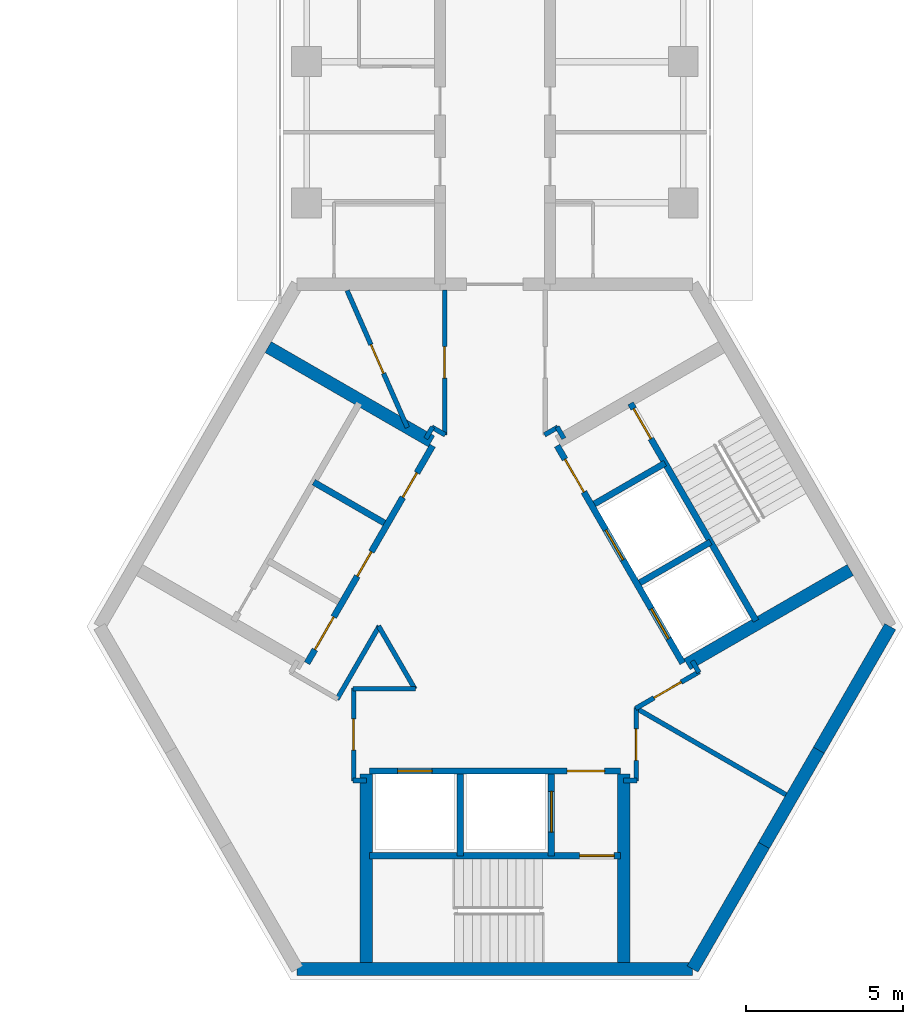
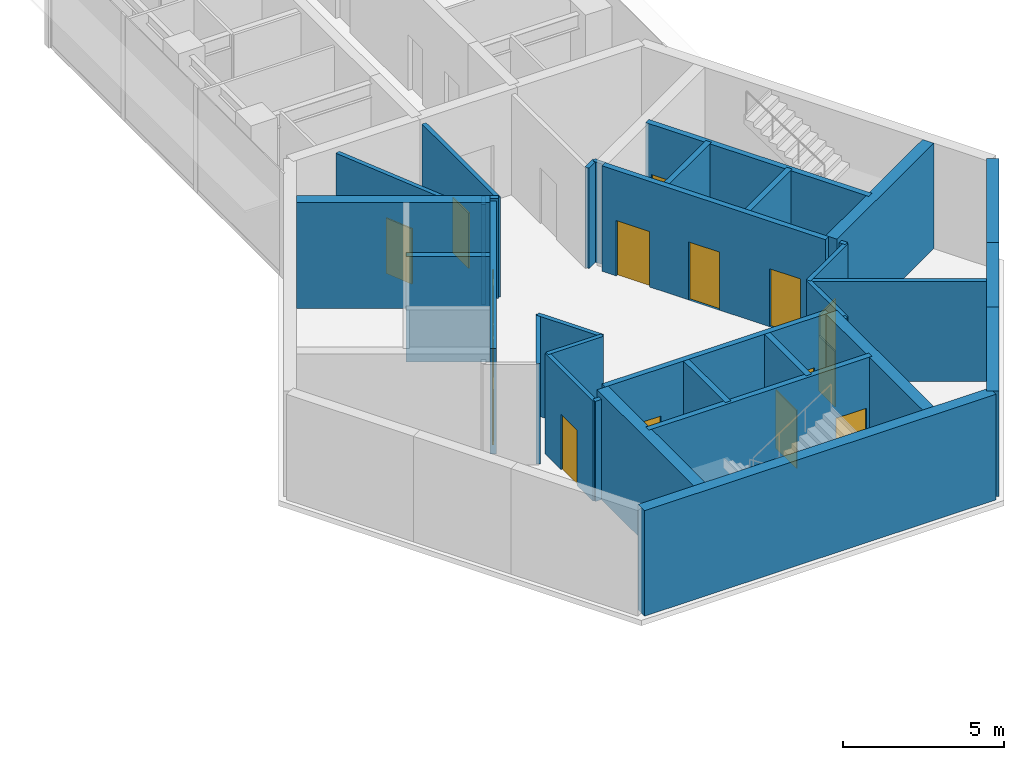
# One storey, part 8 of 11: 34 walls, 16 doors, 16 openings.
"""IFC4 building model written with IfcOpenShell, lengths in metres."""

from ifc_helpers import new_model, si_unit, direction, frame, frame_2d, origin, place, context, subcontext, project, spatial, rectangle, extrude, material, layer, layer_set, type_object, element, fill, save


model = new_model("IFC4")

# Units and contexts
model_context = context("Model", 3, precision=1e-05, world=origin(), true_north=direction((0.0, 1.0)))
body_context = subcontext(model_context, "Body", "Model", "MODEL_VIEW")
ifc_project = project(units=[si_unit("LENGTHUNIT", "METRE"), si_unit("AREAUNIT", "SQUARE_METRE"), si_unit("VOLUMEUNIT", "CUBIC_METRE"), si_unit("PLANEANGLEUNIT", "RADIAN"), si_unit("MASSUNIT", "GRAM", prefix="KILO")], contexts=[model_context])

# Site, building, storey
site_placement = place(None, origin())
site = spatial("IfcSite", under=ifc_project, at=site_placement, CompositionType="ELEMENT")
building_placement = place(site_placement, origin())
building = spatial("IfcBuilding", under=site, at=building_placement, Name="Upepo Twin Towers", CompositionType="ELEMENT")
storey_placement = place(building_placement, frame((0.0, 0.0, 271.5)))
storey = spatial("IfcBuildingStorey", under=building, at=storey_placement, Name="L66", CompositionType="ELEMENT", Elevation=271.5)

# Walls
ifc_material_1 = material(Name="Concrete C60/75", Category="concrete")
ifc_layer_1 = layer(ifc_material_1, 0.39990234375)
ifc_layer_set_1 = layer_set([ifc_layer_1], Name="Concrete C60/75")
wall_type_1 = type_object("IfcWallType", Name="Core wall 400 RC", PredefinedType="SHEAR", material=ifc_layer_set_1)
wall_1_placement = place(storey_placement, frame((52.2021484375, -28.908447265625, 0.0), z_axis=(0.0, 0.0, 1.0), x_axis=(1.0, 0.0, 0.0)))
element("IfcWall", 1, at=wall_1_placement, inside=storey, type_object=wall_type_1, Name="T2 core wall 180", PredefinedType="SHEAR", context=body_context, shape_type="SweptSolid", body=[
    extrude(rectangle(XDim=12.595703125, YDim=0.39990234375, at=frame_2d((6.2978515625, 0.0))), origin(), (0.0, 0.0, 1.0), 4.0),
])
wall_2_placement = place(storey_placement, frame((64.7978515625, -28.908447265625, 0.0), z_axis=(0.0, 0.0, 1.0), x_axis=(0.499984222037, 0.866034513004, 0.0)))
element("IfcWall", 2, at=wall_2_placement, inside=storey, type_object=wall_type_1, Name="T2 core wall 240 R", PredefinedType="SHEAR", context=body_context, shape_type="SweptSolid", body=[
    extrude(rectangle(XDim=4.548095703125, YDim=0.39990234375, at=frame_2d((2.27392578125, 0.0))), origin(), (0.0, 0.0, 1.0), 4.0),
])
wall_3_placement = place(storey_placement, frame((67.07177734375, -24.9697265625, 0.0), z_axis=(0.0, 0.0, 1.0), x_axis=(0.500010275428, 0.866019471182, 0.0)))
element("IfcWall", 3, at=wall_3_placement, inside=storey, type_object=wall_type_1, Name="T2 core wall 240", PredefinedType="SHEAR", context=body_context, shape_type="SweptSolid", body=[
    extrude(rectangle(XDim=3.5, YDim=0.39990234375, at=frame_2d((1.75, 0.0))), origin(), (0.0, 0.0, 1.0), 4.0),
])
wall_4_placement = place(storey_placement, frame((68.82177734375, -21.938720703125, 0.0), z_axis=(0.0, 0.0, 1.0), x_axis=(0.500024481964, 0.866011268655, 0.0)))
element("IfcWall", 4, at=wall_4_placement, inside=storey, type_object=wall_type_1, Name="T2 core wall 240 L", PredefinedType="SHEAR", context=body_context, shape_type="SweptSolid", body=[
    extrude(rectangle(XDim=4.548095703125, YDim=0.39990234375, at=frame_2d((2.27392578125, 0.0))), origin(), (0.0, 0.0, 1.0), 4.0),
])

# Wall, openings, doors
ifc_material_2 = material(Name="Concrete C40/50", Category="concrete")
ifc_layer_2 = layer(ifc_material_2, 0.199951171875)
ifc_layer_set_2 = layer_set([ifc_layer_2], Name="Concrete C40/50")
wall_type_2 = type_object("IfcWallType", Name="Shaft wall 200 RC", PredefinedType="SHEAR", material=ifc_layer_set_2)
wall_5_placement = place(storey_placement, frame((56.516357421875, -12.23583984375, 0.0), z_axis=(0.0, 0.0, 1.0), x_axis=(-0.49999894854, -0.866026010844, 0.0)))
wall_5 = element("IfcWall", 5, at=wall_5_placement, inside=storey, type_object=wall_type_2, Name="T2 core W60 front wall", PredefinedType="SHEAR", context=body_context, shape_type="SweptSolid", body=[
    extrude(rectangle(XDim=8.0, YDim=0.199951171875, at=frame_2d((4.0, 0.0))), origin(), (0.0, 0.0, 1.0), 4.0),
])
opening_1_placement = place(wall_5_placement, frame((6.300048828125, 0.0, 0.0)))
opening_1 = element("IfcOpeningElement", 6, at=opening_1_placement, cuts=wall_5, Name="Opening D4", PredefinedType="OPENING", context=body_context, shape_type="SweptSolid", body=[
    extrude(rectangle(XDim=1.199951171875, YDim=2.10009765625, at=frame_2d((0.60009765625, 1.050048828125))), frame((0.0, 0.10986328125, 0.0), z_axis=(0.0, -1.0, 0.0), x_axis=(1.0, 0.0, 0.0)), (0.0, 0.0, 1.0), 0.219970703125),
])
opening_2_placement = place(wall_5_placement, frame((1.0, 0.0, 0.0)))
opening_2 = element("IfcOpeningElement", 7, at=opening_2_placement, cuts=wall_5, Name="Opening D9", PredefinedType="OPENING", context=body_context, shape_type="SweptSolid", body=[
    extrude(rectangle(XDim=0.89990234375, YDim=2.10009765625, at=frame_2d((0.449951171875, 1.050048828125))), frame((0.0, 0.10986328125, 0.0), z_axis=(0.0, -1.0, 0.0), x_axis=(1.0, 0.0, 0.0)), (0.0, 0.0, 1.0), 0.219970703125),
])
opening_3_placement = place(wall_5_placement, frame((3.89990234375, 0.0, 0.0)))
opening_3 = element("IfcOpeningElement", 8, at=opening_3_placement, cuts=wall_5, Name="Opening D9", PredefinedType="OPENING", context=body_context, shape_type="SweptSolid", body=[
    extrude(rectangle(XDim=0.89990234375, YDim=2.10009765625, at=frame_2d((0.449951171875, 1.050048828125))), frame((0.0, 0.10986328125, 0.0), z_axis=(0.0, -1.0, 0.0), x_axis=(1.0, 0.0, 0.0)), (0.0, 0.0, 1.0), 0.219970703125),
])
ifc_material_3 = material(Name="Timber doorset", Category="wood")
door_type_1 = type_object("IfcDoorType", Name="Lobby door 1200 FD60", OperationType="SINGLE_SWING_LEFT", PredefinedType="DOOR", material=ifc_material_3)
door_1_placement = place(opening_1_placement, origin())
door_1 = element("IfcDoor", 9, at=door_1_placement, inside=storey, type_object=door_type_1, Name="T2 L66 W60 lobby door", OperationType="SINGLE_SWING_RIGHT", OverallHeight=2.10009765625, OverallWidth=1.199951171875, PredefinedType="DOOR", context=body_context, shape_type="SweptSolid", body=[
    extrude(rectangle(XDim=1.199951171875, YDim=2.10009765625, at=frame_2d((0.60009765625, 1.050048828125))), frame((0.0, 0.02490234375, 0.0), z_axis=(0.0, -1.0, 0.0), x_axis=(1.0, 0.0, 0.0)), (0.0, 0.0, 1.0), 0.050048828125),
])
fill(opening_1, door_1)
ifc_material_4 = material(Name="Timber doorset", Category="wood")
door_type_2 = type_object("IfcDoorType", Name="Riser door 900 FD60", OperationType="SINGLE_SWING_LEFT", PredefinedType="DOOR", material=ifc_material_4)
door_2_placement = place(opening_2_placement, origin())
door_2 = element("IfcDoor", 10, at=door_2_placement, inside=storey, type_object=door_type_2, Name="T2 L66 av equipment store door", OperationType="SINGLE_SWING_LEFT", OverallHeight=2.10009765625, OverallWidth=0.89990234375, PredefinedType="DOOR", context=body_context, shape_type="SweptSolid", body=[
    extrude(rectangle(XDim=0.89990234375, YDim=2.10009765625, at=frame_2d((0.449951171875, 1.050048828125))), frame((0.0, 0.02490234375, 0.0), z_axis=(0.0, -1.0, 0.0), x_axis=(1.0, 0.0, 0.0)), (0.0, 0.0, 1.0), 0.050048828125),
])
fill(opening_2, door_2)
door_3_placement = place(opening_3_placement, origin())
door_3 = element("IfcDoor", 11, at=door_3_placement, inside=storey, type_object=door_type_2, Name="T2 L66 cleaner's store door", OperationType="SINGLE_SWING_RIGHT", OverallHeight=2.10009765625, OverallWidth=0.89990234375, PredefinedType="DOOR", context=body_context, shape_type="SweptSolid", body=[
    extrude(rectangle(XDim=0.89990234375, YDim=2.10009765625, at=frame_2d((0.449951171875, 1.050048828125))), frame((0.0, 0.02490234375, 0.0), z_axis=(0.0, -1.0, 0.0), x_axis=(1.0, 0.0, 0.0)), (0.0, 0.0, 1.0), 0.050048828125),
])
fill(opening_3, door_3)

# Wall
wall_6_placement = place(storey_placement, frame((54.979736328125, -14.697265625, 0.0), z_axis=(0.0, 0.0, 1.0), x_axis=(-0.866062058628, 0.499936506574, 0.0)))
element("IfcWall", 12, at=wall_6_placement, inside=storey, type_object=wall_type_2, Name="T2 core W60 shaft divider", PredefinedType="SHEAR", context=body_context, shape_type="SweptSolid", body=[
    extrude(rectangle(XDim=2.599853515625, YDim=0.199951171875, at=frame_2d((1.2998046875, 0.0))), origin(), (0.0, 0.0, 1.0), 4.0),
])

# Wall, openings, doors
wall_7_placement = place(storey_placement, frame((54.5, -22.60009765625, 0.0), z_axis=(0.0, 0.0, 1.0), x_axis=(1.0, 0.0, 0.0)))
wall_7 = element("IfcWall", 13, at=wall_7_placement, inside=storey, type_object=wall_type_2, Name="T2 core W180 front wall", PredefinedType="SHEAR", context=body_context, shape_type="SweptSolid", body=[
    extrude(rectangle(XDim=8.0, YDim=0.199951171875, at=frame_2d((4.0, 0.0))), origin(), (0.0, 0.0, 1.0), 4.0),
])
opening_4_placement = place(wall_7_placement, frame((6.300048828125, 0.0, 0.0)))
opening_4 = element("IfcOpeningElement", 14, at=opening_4_placement, cuts=wall_7, Name="Opening D4", PredefinedType="OPENING", context=body_context, shape_type="SweptSolid", body=[
    extrude(rectangle(XDim=1.199951171875, YDim=2.10009765625, at=frame_2d((0.60009765625, 1.050048828125))), frame((0.0, 0.10986328125, 0.0), z_axis=(0.0, -1.0, 0.0), x_axis=(1.0, 0.0, 0.0)), (0.0, 0.0, 1.0), 0.219970703125),
])
opening_5_placement = place(wall_7_placement, frame((0.89990234375, 0.0, 0.0)))
opening_5 = element("IfcOpeningElement", 15, at=opening_5_placement, cuts=wall_7, Name="Opening LD1", PredefinedType="OPENING", context=body_context, shape_type="SweptSolid", body=[
    extrude(rectangle(XDim=1.10009765625, YDim=2.199951171875, at=frame_2d((0.550048828125, 1.10009765625))), frame((0.0, 0.10986328125, 0.0), z_axis=(0.0, -1.0, 0.0), x_axis=(1.0, 0.0, 0.0)), (0.0, 0.0, 1.0), 0.219970703125),
])
ifc_material_5 = material(Name="Steel doorset", Category="steel")
door_type_3 = type_object("IfcDoorType", Name="Lift landing door 1100", OperationType="DOUBLE_DOOR_SLIDING", PredefinedType="DOOR", material=ifc_material_5)
door_4_placement = place(opening_5_placement, origin())
door_4 = element("IfcDoor", 16, at=door_4_placement, inside=storey, type_object=door_type_3, Name="T2 L66 lift SV1 landing door", OperationType="DOUBLE_DOOR_SLIDING", OverallHeight=2.199951171875, OverallWidth=1.10009765625, PredefinedType="DOOR", context=body_context, shape_type="SweptSolid", body=[
    extrude(rectangle(XDim=1.10009765625, YDim=2.199951171875, at=frame_2d((0.550048828125, 1.10009765625))), frame((0.0, 0.02490234375, 0.0), z_axis=(0.0, -1.0, 0.0), x_axis=(1.0, 0.0, 0.0)), (0.0, 0.0, 1.0), 0.050048828125),
])
fill(opening_5, door_4)
door_5_placement = place(opening_4_placement, origin())
door_5 = element("IfcDoor", 17, at=door_5_placement, inside=storey, type_object=door_type_1, Name="T2 L66 W180 lobby door", OperationType="SINGLE_SWING_RIGHT", OverallHeight=2.10009765625, OverallWidth=1.199951171875, PredefinedType="DOOR", context=body_context, shape_type="SweptSolid", body=[
    extrude(rectangle(XDim=1.199951171875, YDim=2.10009765625, at=frame_2d((0.60009765625, 1.050048828125))), frame((0.0, 0.02490234375, 0.0), z_axis=(0.0, -1.0, 0.0), x_axis=(1.0, 0.0, 0.0)), (0.0, 0.0, 1.0), 0.050048828125),
])
fill(opening_4, door_5)

# Wall
wall_8_placement = place(storey_placement, frame((57.39990234375, -22.699951171875, 0.0), z_axis=(0.0, 0.0, 1.0), x_axis=(0.0, -1.0, 0.0)))
element("IfcWall", 18, at=wall_8_placement, inside=storey, type_object=wall_type_2, Name="T2 core W180 shaft divider", PredefinedType="SHEAR", context=body_context, shape_type="SweptSolid", body=[
    extrude(rectangle(XDim=2.60009765625, YDim=0.199951171875, at=frame_2d((1.300048828125, 0.0))), origin(), (0.0, 0.0, 1.0), 4.0),
])

# Wall, opening, door
wall_9_placement = place(storey_placement, frame((60.300048828125, -22.699951171875, 0.0), z_axis=(0.0, 0.0, 1.0), x_axis=(0.0, -1.0, 0.0)))
wall_9 = element("IfcWall", 19, at=wall_9_placement, inside=storey, type_object=wall_type_2, Name="T2 core W180 lobby wall", PredefinedType="SHEAR", context=body_context, shape_type="SweptSolid", body=[
    extrude(rectangle(XDim=2.60009765625, YDim=0.199951171875, at=frame_2d((1.300048828125, 0.0))), origin(), (0.0, 0.0, 1.0), 4.0),
])
opening_6_placement = place(wall_9_placement, frame((0.550048828125, 0.0, 0.0)))
opening_6 = element("IfcOpeningElement", 20, at=opening_6_placement, cuts=wall_9, Name="Opening LD2", PredefinedType="OPENING", context=body_context, shape_type="SweptSolid", body=[
    extrude(rectangle(XDim=1.300048828125, YDim=2.199951171875, at=frame_2d((0.64990234375, 1.10009765625))), frame((0.0, 0.10986328125, 0.0), z_axis=(0.0, -1.0, 0.0), x_axis=(1.0, 0.0, 0.0)), (0.0, 0.0, 1.0), 0.219970703125),
])
ifc_material_6 = material(Name="Steel doorset", Category="steel")
door_type_4 = type_object("IfcDoorType", Name="Firefighting lift landing door 1300", OperationType="DOUBLE_DOOR_SLIDING", PredefinedType="DOOR", material=ifc_material_6)
door_6_placement = place(opening_6_placement, origin())
door_6 = element("IfcDoor", 21, at=door_6_placement, inside=storey, type_object=door_type_4, Name="T2 L66 firefighting lift landing door", OperationType="DOUBLE_DOOR_SLIDING", OverallHeight=2.199951171875, OverallWidth=1.300048828125, PredefinedType="DOOR", context=body_context, shape_type="SweptSolid", body=[
    extrude(rectangle(XDim=1.300048828125, YDim=2.199951171875, at=frame_2d((0.64990234375, 1.10009765625))), frame((0.0, 0.02490234375, 0.0), z_axis=(0.0, -1.0, 0.0), x_axis=(1.0, 0.0, 0.0)), (0.0, 0.0, 1.0), 0.050048828125),
])
fill(opening_6, door_6)

wall_10_placement = place(storey_placement, frame((54.5, -25.300048828125, 0.0), z_axis=(0.0, 0.0, 1.0), x_axis=(1.0, 0.0, 0.0)))
wall_10 = element("IfcWall", 22, at=wall_10_placement, inside=storey, type_object=wall_type_2, Name="T2 core W180 stair wall", PredefinedType="SHEAR", context=body_context, shape_type="SweptSolid", body=[
    extrude(rectangle(XDim=8.0, YDim=0.199951171875, at=frame_2d((4.0, 0.0))), origin(), (0.0, 0.0, 1.0), 4.0),
])
opening_7_placement = place(wall_10_placement, frame((6.699951171875, 0.0, 0.0)))
opening_7 = element("IfcOpeningElement", 23, at=opening_7_placement, cuts=wall_10, Name="Opening D3", PredefinedType="OPENING", context=body_context, shape_type="SweptSolid", body=[
    extrude(rectangle(XDim=1.10009765625, YDim=2.10009765625, at=frame_2d((0.550048828125, 1.050048828125))), frame((0.0, 0.10986328125, 0.0), z_axis=(0.0, -1.0, 0.0), x_axis=(1.0, 0.0, 0.0)), (0.0, 0.0, 1.0), 0.219970703125),
])
ifc_material_7 = material(Name="Timber doorset", Category="wood")
door_type_5 = type_object("IfcDoorType", Name="Stair door 1100 FD60", OperationType="SINGLE_SWING_LEFT", PredefinedType="DOOR", material=ifc_material_7)
door_7_placement = place(opening_7_placement, origin())
door_7 = element("IfcDoor", 24, at=door_7_placement, inside=storey, type_object=door_type_5, Name="T2 L66 stair door", OperationType="SINGLE_SWING_RIGHT", OverallHeight=2.10009765625, OverallWidth=1.10009765625, PredefinedType="DOOR", context=body_context, shape_type="SweptSolid", body=[
    extrude(rectangle(XDim=1.10009765625, YDim=2.10009765625, at=frame_2d((0.550048828125, 1.050048828125))), frame((0.0, 0.02490234375, 0.0), z_axis=(0.0, -1.0, 0.0), x_axis=(1.0, 0.0, 0.0)), (0.0, 0.0, 1.0), 0.050048828125),
])
fill(opening_7, door_7)

# Wall, openings, doors
wall_11_placement = place(storey_placement, frame((64.483642578125, -19.1640625, 0.0), z_axis=(0.0, 0.0, 1.0), x_axis=(-0.49999894854, 0.866026010844, 0.0)))
wall_11 = element("IfcWall", 25, at=wall_11_placement, inside=storey, type_object=wall_type_2, Name="T2 core W300 front wall", PredefinedType="SHEAR", context=body_context, shape_type="SweptSolid", body=[
    extrude(rectangle(XDim=8.0, YDim=0.199951171875, at=frame_2d((4.0, 0.0))), origin(), (0.0, 0.0, 1.0), 4.0),
])
opening_8_placement = place(wall_11_placement, frame((6.300048828125, 0.0, 0.0)))
opening_8 = element("IfcOpeningElement", 26, at=opening_8_placement, cuts=wall_11, Name="Opening D4", PredefinedType="OPENING", context=body_context, shape_type="SweptSolid", body=[
    extrude(rectangle(XDim=1.199951171875, YDim=2.10009765625, at=frame_2d((0.60009765625, 1.050048828125))), frame((0.0, 0.10986328125, 0.0), z_axis=(0.0, -1.0, 0.0), x_axis=(1.0, 0.0, 0.0)), (0.0, 0.0, 1.0), 0.219970703125),
])
opening_9_placement = place(wall_11_placement, frame((0.89990234375, 0.0, 0.0)))
opening_9 = element("IfcOpeningElement", 27, at=opening_9_placement, cuts=wall_11, Name="Opening LD1", PredefinedType="OPENING", context=body_context, shape_type="SweptSolid", body=[
    extrude(rectangle(XDim=1.10009765625, YDim=2.199951171875, at=frame_2d((0.550048828125, 1.10009765625))), frame((0.0, 0.10986328125, 0.0), z_axis=(0.0, -1.0, 0.0), x_axis=(1.0, 0.0, 0.0)), (0.0, 0.0, 1.0), 0.219970703125),
])
opening_10_placement = place(wall_11_placement, frame((3.800048828125, 0.0, 0.0)))
opening_10 = element("IfcOpeningElement", 28, at=opening_10_placement, cuts=wall_11, Name="Opening LD1", PredefinedType="OPENING", context=body_context, shape_type="SweptSolid", body=[
    extrude(rectangle(XDim=1.10009765625, YDim=2.199951171875, at=frame_2d((0.550048828125, 1.10009765625))), frame((0.0, 0.10986328125, 0.0), z_axis=(0.0, -1.0, 0.0), x_axis=(1.0, 0.0, 0.0)), (0.0, 0.0, 1.0), 0.219970703125),
])
door_8_placement = place(opening_9_placement, origin())
door_8 = element("IfcDoor", 29, at=door_8_placement, inside=storey, type_object=door_type_3, Name="T2 L66 lift TL1 landing door", OperationType="DOUBLE_DOOR_SLIDING", OverallHeight=2.199951171875, OverallWidth=1.10009765625, PredefinedType="DOOR", context=body_context, shape_type="SweptSolid", body=[
    extrude(rectangle(XDim=1.10009765625, YDim=2.199951171875, at=frame_2d((0.550048828125, 1.10009765625))), frame((0.0, 0.02490234375, 0.0), z_axis=(0.0, -1.0, 0.0), x_axis=(1.0, 0.0, 0.0)), (0.0, 0.0, 1.0), 0.050048828125),
])
fill(opening_9, door_8)
door_9_placement = place(opening_10_placement, origin())
door_9 = element("IfcDoor", 30, at=door_9_placement, inside=storey, type_object=door_type_3, Name="T2 L66 lift TL2 landing door", OperationType="DOUBLE_DOOR_SLIDING", OverallHeight=2.199951171875, OverallWidth=1.10009765625, PredefinedType="DOOR", context=body_context, shape_type="SweptSolid", body=[
    extrude(rectangle(XDim=1.10009765625, YDim=2.199951171875, at=frame_2d((0.550048828125, 1.10009765625))), frame((0.0, 0.02490234375, 0.0), z_axis=(0.0, -1.0, 0.0), x_axis=(1.0, 0.0, 0.0)), (0.0, 0.0, 1.0), 0.050048828125),
])
fill(opening_10, door_9)
door_10_placement = place(opening_8_placement, origin())
door_10 = element("IfcDoor", 31, at=door_10_placement, inside=storey, type_object=door_type_1, Name="T2 L66 W300 lobby door", OperationType="SINGLE_SWING_RIGHT", OverallHeight=2.10009765625, OverallWidth=1.199951171875, PredefinedType="DOOR", context=body_context, shape_type="SweptSolid", body=[
    extrude(rectangle(XDim=1.199951171875, YDim=2.10009765625, at=frame_2d((0.60009765625, 1.050048828125))), frame((0.0, 0.02490234375, 0.0), z_axis=(0.0, -1.0, 0.0), x_axis=(1.0, 0.0, 0.0)), (0.0, 0.0, 1.0), 0.050048828125),
])
fill(opening_8, door_10)

# Walls
wall_12_placement = place(storey_placement, frame((63.120361328125, -16.6025390625, 0.0), z_axis=(0.0, 0.0, 1.0), x_axis=(0.866062058628, 0.499936506574, 0.0)))
element("IfcWall", 32, at=wall_12_placement, inside=storey, type_object=wall_type_2, Name="T2 core W300 shaft divider", PredefinedType="SHEAR", context=body_context, shape_type="SweptSolid", body=[
    extrude(rectangle(XDim=2.599853515625, YDim=0.199951171875, at=frame_2d((1.2998046875, 0.0))), origin(), (0.0, 0.0, 1.0), 4.0),
])
wall_13_placement = place(storey_placement, frame((61.67041015625, -14.091064453125, 0.0), z_axis=(0.0, 0.0, 1.0), x_axis=(0.86603858612, 0.49997716683, 0.0)))
element("IfcWall", 33, at=wall_13_placement, inside=storey, type_object=wall_type_2, Name="T2 core W300 lobby wall", PredefinedType="SHEAR", context=body_context, shape_type="SweptSolid", body=[
    extrude(rectangle(XDim=2.599609375, YDim=0.199951171875, at=frame_2d((1.2998046875, 0.0))), origin(), (0.0, 0.0, 1.0), 4.0),
])

# Wall, opening, door
wall_14_placement = place(storey_placement, frame((66.822021484375, -17.814208984375, 0.0), z_axis=(0.0, 0.0, 1.0), x_axis=(-0.49999894854, 0.866026010844, 0.0)))
wall_14 = element("IfcWall", 34, at=wall_14_placement, inside=storey, type_object=wall_type_2, Name="T2 core W300 stair wall", PredefinedType="SHEAR", context=body_context, shape_type="SweptSolid", body=[
    extrude(rectangle(XDim=8.0, YDim=0.199951171875, at=frame_2d((4.0, 0.0))), origin(), (0.0, 0.0, 1.0), 4.0),
])
opening_11_placement = place(wall_14_placement, frame((6.699951171875, 0.0, 0.0)))
opening_11 = element("IfcOpeningElement", 35, at=opening_11_placement, cuts=wall_14, Name="Opening D3", PredefinedType="OPENING", context=body_context, shape_type="SweptSolid", body=[
    extrude(rectangle(XDim=1.10009765625, YDim=2.10009765625, at=frame_2d((0.550048828125, 1.050048828125))), frame((0.0, 0.10986328125, 0.0), z_axis=(0.0, -1.0, 0.0), x_axis=(1.0, 0.0, 0.0)), (0.0, 0.0, 1.0), 0.219970703125),
])
door_11_placement = place(opening_11_placement, origin())
door_11 = element("IfcDoor", 36, at=door_11_placement, inside=storey, type_object=door_type_5, Name="T2 L66 stair door", OperationType="SINGLE_SWING_RIGHT", OverallHeight=2.10009765625, OverallWidth=1.10009765625, PredefinedType="DOOR", context=body_context, shape_type="SweptSolid", body=[
    extrude(rectangle(XDim=1.10009765625, YDim=2.10009765625, at=frame_2d((0.550048828125, 1.050048828125))), frame((0.0, 0.02490234375, 0.0), z_axis=(0.0, -1.0, 0.0), x_axis=(1.0, 0.0, 0.0)), (0.0, 0.0, 1.0), 0.050048828125),
])
fill(opening_11, door_11)

# Walls
ifc_material_8 = material(Name="Concrete C40/50", Category="concrete")
ifc_layer_3 = layer(ifc_material_8, 0.39990234375)
ifc_layer_set_3 = layer_set([ifc_layer_3], Name="Concrete C40/50")
wall_type_3 = type_object("IfcWallType", Name="Shaft wall 400 RC", PredefinedType="SHEAR", material=ifc_layer_set_3)
for number, where, z_axis, x_axis, name in (
    (37, (56.479736328125, -12.099365234375, 0.0), (0.0, 0.0, 1.0), (-0.866026570101, 0.499997979876, 0.0), "T2 core W60 side wall S"),
    (38, (62.60009765625, -22.699951171875, 0.0), (0.0, 0.0, 1.0), (0.0, -1.0, 0.0), "T2 core W180 side wall N"),
    (39, (54.39990234375, -22.699951171875, 0.0), (0.0, 0.0, 1.0), (0.0, -1.0, 0.0), "T2 core W180 side wall S"),
    (40, (64.620361328125, -19.20068359375, 0.0), (0.0, 0.0, 1.0), (0.866026570101, 0.499997979876, 0.0), "T2 core W300 side wall S"),
):
    element("IfcWall", number, at=place(storey_placement, frame(where, z_axis=z_axis, x_axis=x_axis)), inside=storey, type_object=wall_type_3, Name=name, PredefinedType="SHEAR", context=body_context, shape_type="SweptSolid", body=[
        extrude(rectangle(XDim=6.00830078125, YDim=0.39990234375, at=frame_2d((3.004150390625, 0.0))), origin(), (0.0, 0.0, 1.0), 4.0),
    ])
ifc_material_9 = material(Name="Gypsum board on steel studs", Category="steel")
ifc_layer_4 = layer(ifc_material_9, 0.14990234375)
ifc_layer_set_4 = layer_set([ifc_layer_4], Name="Teaching partition 150 acoustic")
wall_type_4 = type_object("IfcWallType", Name="Teaching partition 150 acoustic", PredefinedType="PARTITIONING", material=ifc_layer_set_4)
for number, where, z_axis, x_axis, name in (
    (41, (63.02001953125, -22.89990234375, 0.0), (0.0, 0.0, 1.0), (-1.0, 0.0, 0.0), "T2 core room partition 1"),
    (42, (54.409912109375, -22.89990234375, 0.0), (0.0, 0.0, 1.0), (-1.0, 0.0, 0.0), "T2 core room partition 2"),
):
    element("IfcWall", number, at=place(storey_placement, frame(where, z_axis=z_axis, x_axis=x_axis)), inside=storey, type_object=wall_type_4, Name=name, PredefinedType="PARTITIONING", context=body_context, shape_type="SweptSolid", body=[
        extrude(rectangle(XDim=0.429931640625, YDim=0.14990234375, at=frame_2d((0.21484375, 0.0))), origin(), (0.0, 0.0, 1.0), 3.800048828125),
    ])

# Wall, opening, door
wall_15_placement = place(storey_placement, frame((54.0, -22.919921875, 0.0), z_axis=(0.0, 0.0, 1.0), x_axis=(0.0, 1.0, 0.0)))
wall_15 = element("IfcWall", 43, at=wall_15_placement, inside=storey, type_object=wall_type_4, Name="T2 core room partition 3", PredefinedType="PARTITIONING", context=body_context, shape_type="SweptSolid", body=[
    extrude(rectangle(XDim=2.96484375, YDim=0.14990234375, at=frame_2d((1.482421875, 0.0))), origin(), (0.0, 0.0, 1.0), 3.800048828125),
])
opening_12_placement = place(wall_15_placement, frame((0.982421875, 0.0, 0.0)))
opening_12 = element("IfcOpeningElement", 44, at=opening_12_placement, cuts=wall_15, Name="Opening D1", PredefinedType="OPENING", context=body_context, shape_type="SweptSolid", body=[
    extrude(rectangle(XDim=1.0, YDim=2.10009765625, at=frame_2d((0.5, 1.050048828125))), frame((0.0, 0.0849609375, 0.0), z_axis=(0.0, -1.0, 0.0), x_axis=(1.0, 0.0, 0.0)), (0.0, 0.0, 1.0), 0.169921875),
])
ifc_material_10 = material(Name="Timber doorset", Category="wood")
door_type_6 = type_object("IfcDoorType", Name="Room door 1000 FD30", OperationType="SINGLE_SWING_LEFT", PredefinedType="DOOR", material=ifc_material_10)
door_12_placement = place(opening_12_placement, origin())
door_12 = element("IfcDoor", 45, at=door_12_placement, inside=storey, type_object=door_type_6, Name="T2 L66 core room door K1", OperationType="SINGLE_SWING_RIGHT", OverallHeight=2.10009765625, OverallWidth=1.0, PredefinedType="DOOR", context=body_context, shape_type="SweptSolid", body=[
    extrude(rectangle(XDim=1.0, YDim=2.10009765625, at=frame_2d((0.5, 1.050048828125))), frame((0.0, 0.02490234375, 0.0), z_axis=(0.0, -1.0, 0.0), x_axis=(1.0, 0.0, 0.0)), (0.0, 0.0, 1.0), 0.050048828125),
])
fill(opening_12, door_12)

# Walls
wall_16_placement = place(storey_placement, frame((53.97998046875, -19.97509765625, 0.0), z_axis=(0.0, 0.0, 1.0), x_axis=(1.0, 0.0, 0.0)))
element("IfcWall", 46, at=wall_16_placement, inside=storey, type_object=wall_type_4, Name="T2 core room partition 4", PredefinedType="PARTITIONING", context=body_context, shape_type="SweptSolid", body=[
    extrude(rectangle(XDim=1.985107421875, YDim=0.14990234375, at=frame_2d((0.99267578125, 0.0))), origin(), (0.0, 0.0, 1.0), 3.800048828125),
])
wall_17_placement = place(storey_placement, frame((55.955078125, -19.992431640625, 0.0), z_axis=(0.0, 0.0, 1.0), x_axis=(-0.499941024108, 0.866059450854, 0.0)))
element("IfcWall", 47, at=wall_17_placement, inside=storey, type_object=wall_type_4, Name="T2 core room partition 5", PredefinedType="PARTITIONING", context=body_context, shape_type="SweptSolid", body=[
    extrude(rectangle(XDim=2.320556640625, YDim=0.14990234375, at=frame_2d((1.16015625, 0.0))), origin(), (0.0, 0.0, 1.0), 3.800048828125),
])
wall_18_placement = place(storey_placement, frame((54.81494140625, -17.982666015625, 0.0), z_axis=(0.0, 0.0, 1.0), x_axis=(-0.499981473571, -0.866036099759, 0.0)))
element("IfcWall", 48, at=wall_18_placement, inside=storey, type_object=wall_type_4, Name="T2 core room partition 6", PredefinedType="PARTITIONING", context=body_context, shape_type="SweptSolid", body=[
    extrude(rectangle(XDim=2.6923828125, YDim=0.14990234375, at=frame_2d((1.34619140625, 0.0))), origin(), (0.0, 0.0, 1.0), 3.800048828125),
])
wall_19_placement = place(storey_placement, frame((56.301513671875, -12.0078125, 0.0), z_axis=(0.0, 0.0, 1.0), x_axis=(0.500230298122, 0.865892400268, 0.0)))
element("IfcWall", 49, at=wall_19_placement, inside=storey, type_object=wall_type_4, Name="T2 core room partition 9", PredefinedType="PARTITIONING", context=body_context, shape_type="SweptSolid", body=[
    extrude(rectangle(XDim=0.429931640625, YDim=0.14990234375, at=frame_2d((0.21484375, 0.0))), origin(), (0.0, 0.0, 1.0), 3.800048828125),
])
wall_20_placement = place(storey_placement, frame((56.4892578125, -11.642822265625, 0.0), z_axis=(0.0, 0.0, 1.0), x_axis=(0.865831790172, -0.50033519877, 0.0)))
element("IfcWall", 50, at=wall_20_placement, inside=storey, type_object=wall_type_4, Name="T2 core room partition 10", PredefinedType="PARTITIONING", context=body_context, shape_type="SweptSolid", body=[
    extrude(rectangle(XDim=0.494384765625, YDim=0.14990234375, at=frame_2d((0.2470703125, 0.0))), origin(), (0.0, 0.0, 1.0), 3.800048828125),
])

# Wall, opening, door
wall_21_placement = place(storey_placement, frame((56.89990234375, -11.900146484375, 0.0), z_axis=(0.0, 0.0, 1.0), x_axis=(0.0, 1.0, 0.0)))
wall_21 = element("IfcWall", 51, at=wall_21_placement, inside=storey, type_object=wall_type_4, Name="T2 core room partition 11", PredefinedType="PARTITIONING", context=body_context, shape_type="SweptSolid", body=[
    extrude(rectangle(XDim=4.618408203125, YDim=0.14990234375, at=frame_2d((2.30908203125, 0.0))), origin(), (0.0, 0.0, 1.0), 3.800048828125),
])
opening_13_placement = place(wall_21_placement, frame((1.8193359375, 0.0, 0.0)))
opening_13 = element("IfcOpeningElement", 52, at=opening_13_placement, cuts=wall_21, Name="Opening D1", PredefinedType="OPENING", context=body_context, shape_type="SweptSolid", body=[
    extrude(rectangle(XDim=1.0, YDim=2.10009765625, at=frame_2d((0.5, 1.050048828125))), frame((0.0, 0.0849609375, 0.0), z_axis=(0.0, -1.0, 0.0), x_axis=(1.0, 0.0, 0.0)), (0.0, 0.0, 1.0), 0.169921875),
])
door_13_placement = place(opening_13_placement, origin())
door_13 = element("IfcDoor", 53, at=door_13_placement, inside=storey, type_object=door_type_6, Name="T2 L66 core room door K6", OperationType="SINGLE_SWING_RIGHT", OverallHeight=2.10009765625, OverallWidth=1.0, PredefinedType="DOOR", context=body_context, shape_type="SweptSolid", body=[
    extrude(rectangle(XDim=1.0, YDim=2.10009765625, at=frame_2d((0.5, 1.050048828125))), frame((0.0, 0.02490234375, 0.0), z_axis=(0.0, -1.0, 0.0), x_axis=(1.0, 0.0, 0.0)), (0.0, 0.0, 1.0), 0.050048828125),
])
fill(opening_13, door_13)

# Walls
wall_22_placement = place(storey_placement, frame((60.082763671875, -11.89013671875, 0.0), z_axis=(0.0, 0.0, 1.0), x_axis=(0.865831790172, 0.50033519877, 0.0)))
element("IfcWall", 54, at=wall_22_placement, inside=storey, type_object=wall_type_4, Name="T2 core room partition 13", PredefinedType="PARTITIONING", context=body_context, shape_type="SweptSolid", body=[
    extrude(rectangle(XDim=0.494384765625, YDim=0.14990234375, at=frame_2d((0.2470703125, 0.0))), origin(), (0.0, 0.0, 1.0), 3.800048828125),
])
for number, where, z_axis, x_axis, name in (
    (55, (60.4833984375, -11.635498046875, 0.0), (0.0, 0.0, 1.0), (0.500230298122, -0.865892400268, 0.0), "T2 core room partition 14"),
    (56, (64.78857421875, -19.092041015625, 0.0), (0.0, 0.0, 1.0), (0.499804398801, -0.866138304741, 0.0), "T2 core room partition 15"),
):
    element("IfcWall", number, at=place(storey_placement, frame(where, z_axis=z_axis, x_axis=x_axis)), inside=storey, type_object=wall_type_4, Name=name, PredefinedType="PARTITIONING", context=body_context, shape_type="SweptSolid", body=[
        extrude(rectangle(XDim=0.429931640625, YDim=0.14990234375, at=frame_2d((0.21484375, 0.0))), origin(), (0.0, 0.0, 1.0), 3.800048828125),
    ])

# Wall, opening, door
wall_23_placement = place(storey_placement, frame((65.0107421875, -19.43701171875, 0.0), z_axis=(0.0, 0.0, 1.0), x_axis=(-0.865982457891, -0.500074377092, 0.0)))
wall_23 = element("IfcWall", 57, at=wall_23_placement, inside=storey, type_object=wall_type_4, Name="T2 core room partition 16", PredefinedType="PARTITIONING", context=body_context, shape_type="SweptSolid", body=[
    extrude(rectangle(XDim=2.342041015625, YDim=0.14990234375, at=frame_2d((1.1708984375, 0.0))), origin(), (0.0, 0.0, 1.0), 3.800048828125),
])
opening_14_placement = place(wall_23_placement, frame((0.660888671875, 0.0, 0.0)))
opening_14 = element("IfcOpeningElement", 58, at=opening_14_placement, cuts=wall_23, Name="Opening D1", PredefinedType="OPENING", context=body_context, shape_type="SweptSolid", body=[
    extrude(rectangle(XDim=1.0, YDim=2.10009765625, at=frame_2d((0.5, 1.050048828125))), frame((0.0, 0.0849609375, 0.0), z_axis=(0.0, -1.0, 0.0), x_axis=(1.0, 0.0, 0.0)), (0.0, 0.0, 1.0), 0.169921875),
])
door_14_placement = place(opening_14_placement, origin())
door_14 = element("IfcDoor", 59, at=door_14_placement, inside=storey, type_object=door_type_6, Name="T2 L66 core room door K3", OperationType="SINGLE_SWING_LEFT", OverallHeight=2.10009765625, OverallWidth=1.0, PredefinedType="DOOR", context=body_context, shape_type="SweptSolid", body=[
    extrude(rectangle(XDim=1.0, YDim=2.10009765625, at=frame_2d((0.5, 1.050048828125))), frame((0.0, 0.02490234375, 0.0), z_axis=(0.0, -1.0, 0.0), x_axis=(1.0, 0.0, 0.0)), (0.0, 0.0, 1.0), 0.050048828125),
])
fill(opening_14, door_14)

wall_24_placement = place(storey_placement, frame((63.0, -20.578125, 0.0), z_axis=(0.0, 0.0, 1.0), x_axis=(0.0, -1.0, 0.0)))
wall_24 = element("IfcWall", 60, at=wall_24_placement, inside=storey, type_object=wall_type_4, Name="T2 core room partition 17", PredefinedType="PARTITIONING", context=body_context, shape_type="SweptSolid", body=[
    extrude(rectangle(XDim=2.341796875, YDim=0.14990234375, at=frame_2d((1.1708984375, 0.0))), origin(), (0.0, 0.0, 1.0), 3.800048828125),
])
opening_15_placement = place(wall_24_placement, frame((0.68115234375, 0.0, 0.0)))
opening_15 = element("IfcOpeningElement", 61, at=opening_15_placement, cuts=wall_24, Name="Opening D1", PredefinedType="OPENING", context=body_context, shape_type="SweptSolid", body=[
    extrude(rectangle(XDim=1.0, YDim=2.10009765625, at=frame_2d((0.5, 1.050048828125))), frame((0.0, 0.0849609375, 0.0), z_axis=(0.0, -1.0, 0.0), x_axis=(1.0, 0.0, 0.0)), (0.0, 0.0, 1.0), 0.169921875),
])
door_15_placement = place(opening_15_placement, origin())
door_15 = element("IfcDoor", 62, at=door_15_placement, inside=storey, type_object=door_type_6, Name="T2 L66 core room door K2", OperationType="SINGLE_SWING_RIGHT", OverallHeight=2.10009765625, OverallWidth=1.0, PredefinedType="DOOR", context=body_context, shape_type="SweptSolid", body=[
    extrude(rectangle(XDim=1.0, YDim=2.10009765625, at=frame_2d((0.5, 1.050048828125))), frame((0.0, 0.02490234375, 0.0), z_axis=(0.0, -1.0, 0.0), x_axis=(1.0, 0.0, 0.0)), (0.0, 0.0, 1.0), 0.050048828125),
])
fill(opening_15, door_15)

# Wall
wall_25_placement = place(storey_placement, frame((63.074951171875, -20.641357421875, 0.0), z_axis=(0.0, 0.0, 1.0), x_axis=(0.866019232626, -0.500010688608, 0.0)))
element("IfcWall", 63, at=wall_25_placement, inside=storey, type_object=wall_type_4, Name="T2 core room partition 18", PredefinedType="PARTITIONING", context=body_context, shape_type="SweptSolid", body=[
    extrude(rectangle(XDim=5.42578125, YDim=0.14990234375, at=frame_2d((2.712890625, 0.0))), origin(), (0.0, 0.0, 1.0), 3.800048828125),
])

# Wall, opening, door
wall_26_placement = place(storey_placement, frame((55.7109375, -11.655517578125, 0.0), z_axis=(0.0, 0.0, 1.0), x_axis=(-0.402457111937, 0.915438841787, 0.0)))
wall_26 = element("IfcWall", 64, at=wall_26_placement, inside=storey, type_object=wall_type_4, Name="T2 core room partition 19", PredefinedType="PARTITIONING", context=body_context, shape_type="SweptSolid", body=[
    extrude(rectangle(XDim=4.766845703125, YDim=0.14990234375, at=frame_2d((2.38330078125, 0.0))), origin(), (0.0, 0.0, 1.0), 3.800048828125),
])
opening_16_placement = place(wall_26_placement, frame((1.88330078125, 0.0, 0.0)))
opening_16 = element("IfcOpeningElement", 65, at=opening_16_placement, cuts=wall_26, Name="Opening D1", PredefinedType="OPENING", context=body_context, shape_type="SweptSolid", body=[
    extrude(rectangle(XDim=1.0, YDim=2.10009765625, at=frame_2d((0.5, 1.050048828125))), frame((0.0, 0.0849609375, 0.0), z_axis=(0.0, -1.0, 0.0), x_axis=(1.0, 0.0, 0.0)), (0.0, 0.0, 1.0), 0.169921875),
])
door_16_placement = place(opening_16_placement, origin())
door_16 = element("IfcDoor", 66, at=door_16_placement, inside=storey, type_object=door_type_6, Name="T2 L66 core room door K5", OperationType="SINGLE_SWING_LEFT", OverallHeight=2.10009765625, OverallWidth=1.0, PredefinedType="DOOR", context=body_context, shape_type="SweptSolid", body=[
    extrude(rectangle(XDim=1.0, YDim=2.10009765625, at=frame_2d((0.5, 1.050048828125))), frame((0.0, 0.02490234375, 0.0), z_axis=(0.0, -1.0, 0.0), x_axis=(1.0, 0.0, 0.0)), (0.0, 0.0, 1.0), 0.050048828125),
])
fill(opening_16, door_16)

save(model, "model.ifc")
